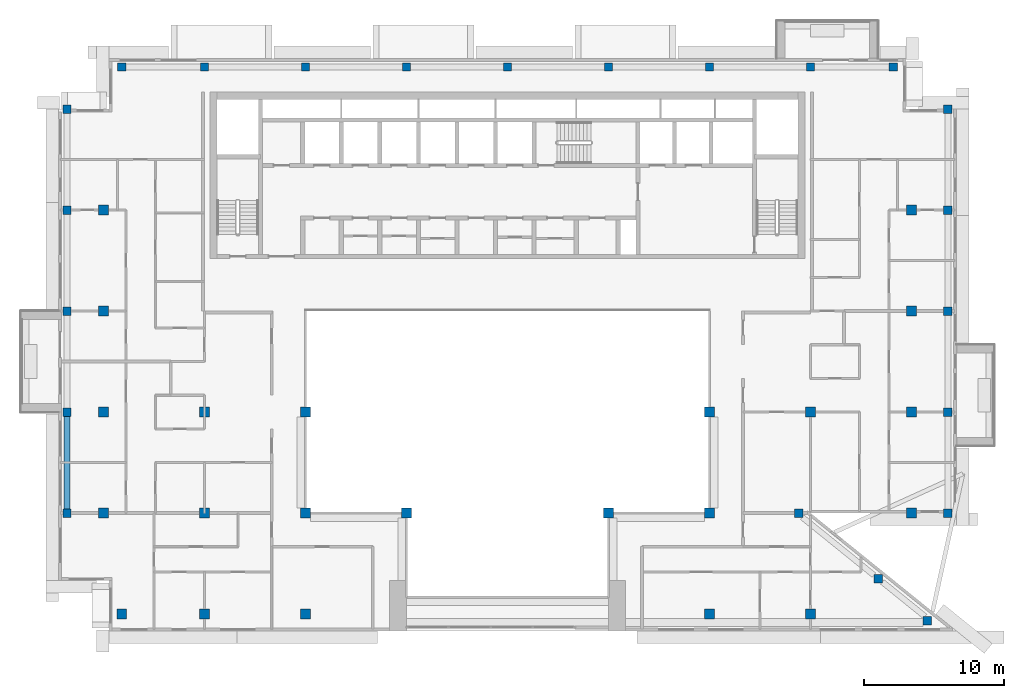
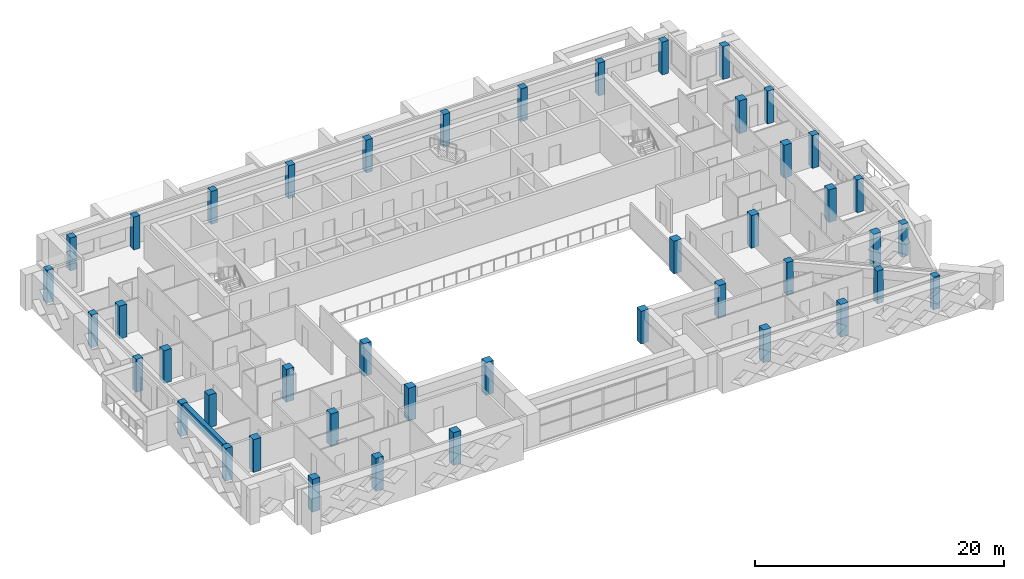
# One storey, part 1 of 18: 44 columns, 1 beam.
"""IFC4 building model written with IfcOpenShell, lengths in metres."""

from ifc_helpers import new_model, si_unit, direction, frame, origin, origin_2d, place, context, subcontext, project, spatial, rectangle, extrude, source, transform, mapped, material, material_profile, profile_set, type_object, element, save


model = new_model("IFC4")

# Units and contexts
model_context = context("Model", 3, precision=1e-05, world=origin(), true_north=direction((0.0, 1.0)))
body_context = subcontext(model_context, "Body", "Model", "MODEL_VIEW")
ifc_project = project(units=[si_unit("LENGTHUNIT", "METRE"), si_unit("AREAUNIT", "SQUARE_METRE"), si_unit("VOLUMEUNIT", "CUBIC_METRE"), si_unit("PLANEANGLEUNIT", "RADIAN"), si_unit("MASSUNIT", "GRAM", prefix="KILO")], contexts=[model_context])

# Site, building, storey
site_placement = place(None, origin())
site = spatial("IfcSite", under=ifc_project, at=site_placement, CompositionType="ELEMENT")
building_placement = place(site_placement, origin())
building = spatial("IfcBuilding", under=site, at=building_placement, Name="Saffron Iwan Residences", CompositionType="ELEMENT")
storey_placement = place(building_placement, frame((0.0, 0.0, 257.0)))
storey = spatial("IfcBuildingStorey", under=building, at=storey_placement, Name="L69", CompositionType="ELEMENT", Elevation=257.0)

# Columns
ifc_material = material(Name="Concrete C40/50", Category="concrete")
ifc_material_profile_1 = material_profile(ifc_material, rectangle(XDim=0.699951171875, YDim=0.699951171875, at=origin_2d()), Name="RC 700x700")
ifc_profile_set_1 = profile_set([ifc_material_profile_1], Name="Concrete C40/50")
column_type_1 = type_object("IfcColumnType", Name="COL RC 700x700 C40/50 3220 HIGH", PredefinedType="COLUMN", material=ifc_profile_set_1)
shared_shape_1 = source(origin(), body_context, "Body", "SweptSolid", [
    extrude(rectangle(XDim=0.699951171875, YDim=0.699951171875, at=origin_2d()), origin(), (0.0, 0.0, 1.0), 3.219970703125),
])
for number, where, z_axis, x_axis, name in (
    (1, (22.89990234375, 40.800048828125, 0.0), (0.0, 0.0, 1.0), (1.0, 0.0, 0.0), "Column C050"),
    (2, (28.800048828125, 40.800048828125, 0.0), (0.0, 0.0, 1.0), (1.0, 0.0, 0.0), "Column C051"),
    (3, (36.0, 40.800048828125, 0.0), (0.0, 0.0, 1.0), (1.0, 0.0, 0.0), "Column C052"),
    (4, (64.800048828125, 40.800048828125, 0.0), (0.0, 0.0, 1.0), (1.0, 0.0, 0.0), "Column C055"),
    (5, (72.0, 40.800048828125, 0.0), (0.0, 0.0, 1.0), (1.0, 0.0, 0.0), "Column C056"),
    (6, (21.60009765625, 48.0, 0.0), (0.0, 0.0, 1.0), (1.0, 0.0, 0.0), "Column C063"),
    (7, (28.800048828125, 48.0, 0.0), (0.0, 0.0, 1.0), (1.0, 0.0, 0.0), "Column C064"),
    (8, (36.0, 48.0, 0.0), (0.0, 0.0, 1.0), (1.0, 0.0, 0.0), "Column C065"),
    (9, (43.199951171875, 48.0, 0.0), (0.0, 0.0, 1.0), (1.0, 0.0, 0.0), "Column C066"),
    (10, (57.60009765625, 48.0, 0.0), (0.0, 0.0, 1.0), (1.0, 0.0, 0.0), "Column C068"),
    (11, (64.800048828125, 48.0, 0.0), (0.0, 0.0, 1.0), (1.0, 0.0, 0.0), "Column C069"),
    (12, (79.199951171875, 48.0, 0.0), (0.0, 0.0, 1.0), (1.0, 0.0, 0.0), "Column C072"),
    (13, (21.60009765625, 55.199951171875, 0.0), (0.0, 0.0, 1.0), (1.0, 0.0, 0.0), "Column C079"),
    (14, (28.800048828125, 55.199951171875, 0.0), (0.0, 0.0, 1.0), (1.0, 0.0, 0.0), "Column C080"),
    (15, (36.0, 55.199951171875, 0.0), (0.0, 0.0, 1.0), (1.0, 0.0, 0.0), "Column C081"),
    (16, (64.800048828125, 55.199951171875, 0.0), (0.0, 0.0, 1.0), (1.0, 0.0, 0.0), "Column C082"),
    (17, (72.0, 55.199951171875, 0.0), (0.0, 0.0, 1.0), (1.0, 0.0, 0.0), "Column C083"),
    (18, (79.199951171875, 55.199951171875, 0.0), (0.0, 0.0, 1.0), (1.0, 0.0, 0.0), "Column C084"),
    (19, (21.60009765625, 62.39990234375, 0.0), (0.0, 0.0, 1.0), (1.0, 0.0, 0.0), "Column C091"),
    (20, (79.199951171875, 62.39990234375, 0.0), (0.0, 0.0, 1.0), (1.0, 0.0, 0.0), "Column C092"),
    (21, (21.60009765625, 69.60009765625, 0.0), (0.0, 0.0, 1.0), (1.0, 0.0, 0.0), "Column C099"),
    (22, (79.199951171875, 69.60009765625, 0.0), (0.0, 0.0, 1.0), (1.0, 0.0, 0.0), "Column C100"),
):
    element("IfcColumn", number, at=place(storey_placement, frame(where, z_axis=z_axis, x_axis=x_axis)), inside=storey, type_object=column_type_1, Name=name, PredefinedType="COLUMN", context=body_context, shape_type="MappedRepresentation", body=[
        mapped(shared_shape_1, transform((0.0, 0.0, 0.0))),
    ])
ifc_material_profile_2 = material_profile(ifc_material, rectangle(XDim=0.60009765625, YDim=0.60009765625, at=origin_2d()), Name="RC 600x600")
ifc_profile_set_2 = profile_set([ifc_material_profile_2], Name="Concrete C40/50")
column_type_2 = type_object("IfcColumnType", Name="COL RC 600x600 C40/50 3220 HIGH", PredefinedType="COLUMN", material=ifc_profile_set_2)
shared_shape_2 = source(origin(), body_context, "Body", "SweptSolid", [
    extrude(rectangle(XDim=0.60009765625, YDim=0.60009765625, at=origin_2d()), origin(), (0.0, 0.0, 1.0), 3.219970703125),
])
for number, where, z_axis, x_axis, name in (
    (23, (80.32568359375, 40.3330078125, 0.0), (0.0, 0.0, 1.0), (1.0, 0.0, 0.0), "Column C046"),
    (24, (76.822998046875, 43.333251953125, 0.0), (0.0, 0.0, 1.0), (1.0, 0.0, 0.0), "Column C057"),
    (25, (19.0, 48.0, 0.0), (0.0, 0.0, 1.0), (1.0, 0.0, 0.0), "Column C062"),
    (26, (71.14990234375, 48.0, 0.0), (0.0, 0.0, 1.0), (1.0, 0.0, 0.0), "Column C070"),
    (27, (81.800048828125, 48.0, 0.0), (0.0, 0.0, 1.0), (1.0, 0.0, 0.0), "Column C073"),
    (28, (19.0, 55.199951171875, 0.0), (0.0, 0.0, 1.0), (1.0, 0.0, 0.0), "Column C078"),
    (29, (81.800048828125, 55.199951171875, 0.0), (0.0, 0.0, 1.0), (1.0, 0.0, 0.0), "Column C085"),
    (30, (19.0, 62.39990234375, 0.0), (0.0, 0.0, 1.0), (1.0, 0.0, 0.0), "Column C090"),
    (31, (81.800048828125, 62.39990234375, 0.0), (0.0, 0.0, 1.0), (1.0, 0.0, 0.0), "Column C093"),
    (32, (19.0, 69.60009765625, 0.0), (0.0, 0.0, 1.0), (1.0, 0.0, 0.0), "Column C098"),
    (33, (81.800048828125, 69.60009765625, 0.0), (0.0, 0.0, 1.0), (1.0, 0.0, 0.0), "Column C101"),
    (34, (19.0, 76.800048828125, 0.0), (0.0, 0.0, 1.0), (1.0, 0.0, 0.0), "Column C106"),
    (35, (81.800048828125, 76.800048828125, 0.0), (0.0, 0.0, 1.0), (1.0, 0.0, 0.0), "Column C109"),
    (36, (22.89990234375, 79.800048828125, 0.0), (0.0, 0.0, 1.0), (1.0, 0.0, 0.0), "Column C114"),
    (37, (28.800048828125, 79.800048828125, 0.0), (0.0, 0.0, 1.0), (1.0, 0.0, 0.0), "Column C115"),
    (38, (36.0, 79.800048828125, 0.0), (0.0, 0.0, 1.0), (1.0, 0.0, 0.0), "Column C116"),
    (39, (43.199951171875, 79.800048828125, 0.0), (0.0, 0.0, 1.0), (1.0, 0.0, 0.0), "Column C117"),
    (40, (50.39990234375, 79.800048828125, 0.0), (0.0, 0.0, 1.0), (1.0, 0.0, 0.0), "Column C118"),
    (41, (57.60009765625, 79.800048828125, 0.0), (0.0, 0.0, 1.0), (1.0, 0.0, 0.0), "Column C119"),
    (42, (64.800048828125, 79.800048828125, 0.0), (0.0, 0.0, 1.0), (1.0, 0.0, 0.0), "Column C120"),
    (43, (72.0, 79.800048828125, 0.0), (0.0, 0.0, 1.0), (1.0, 0.0, 0.0), "Column C121"),
    (44, (77.89990234375, 79.800048828125, 0.0), (0.0, 0.0, 1.0), (1.0, 0.0, 0.0), "Column C122"),
):
    element("IfcColumn", number, at=place(storey_placement, frame(where, z_axis=z_axis, x_axis=x_axis)), inside=storey, type_object=column_type_2, Name=name, PredefinedType="COLUMN", context=body_context, shape_type="MappedRepresentation", body=[
        mapped(shared_shape_2, transform((0.0, 0.0, 0.0))),
    ])

# Beam
ifc_material_profile_3 = material_profile(ifc_material, rectangle(XDim=0.39990234375, YDim=0.89990234375, at=origin_2d()), Name="RC 400x900")
ifc_profile_set_3 = profile_set([ifc_material_profile_3], Name="Concrete C40/50")
beam_type = type_object("IfcBeamType", Name="SPANDREL BEAM RC 400x900 C40/50 TOP 3220", PredefinedType="SPANDREL", material=ifc_profile_set_3)
shared_shape_3 = source(origin(), body_context, "Body", "SweptSolid", [
    extrude(rectangle(XDim=0.39990234375, YDim=0.89990234375, at=origin_2d()), origin(), (0.0, 0.0, 1.0), 6.599853515625),
])
beam_placement = place(storey_placement, frame((19.0, 48.300048828125, 2.77001953125), z_axis=(0.0, 1.0, 0.0), x_axis=(-1.0, 0.0, 0.0)))
element("IfcBeam", 45, at=beam_placement, inside=storey, type_object=beam_type, Name="Spandrel beam", PredefinedType="SPANDREL", context=body_context, shape_type="MappedRepresentation", body=[
    mapped(shared_shape_3, transform((0.0, 0.0, 0.0))),
])

save(model, "model.ifc")
